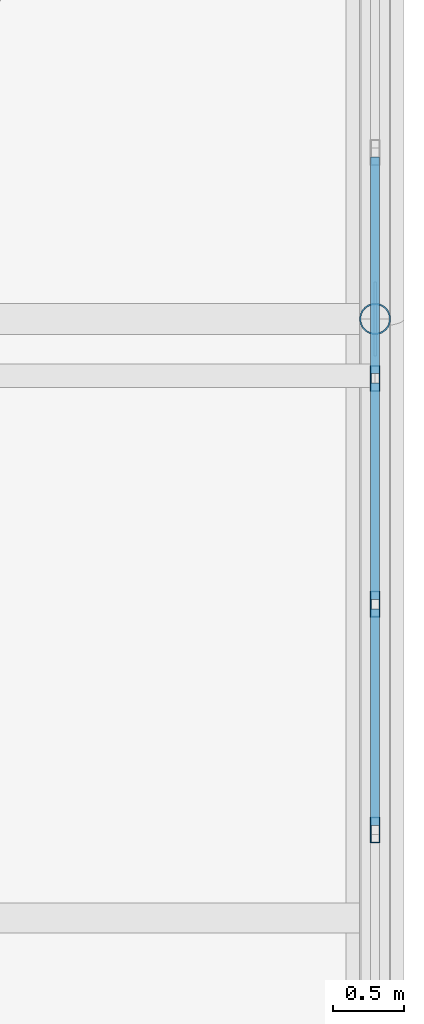
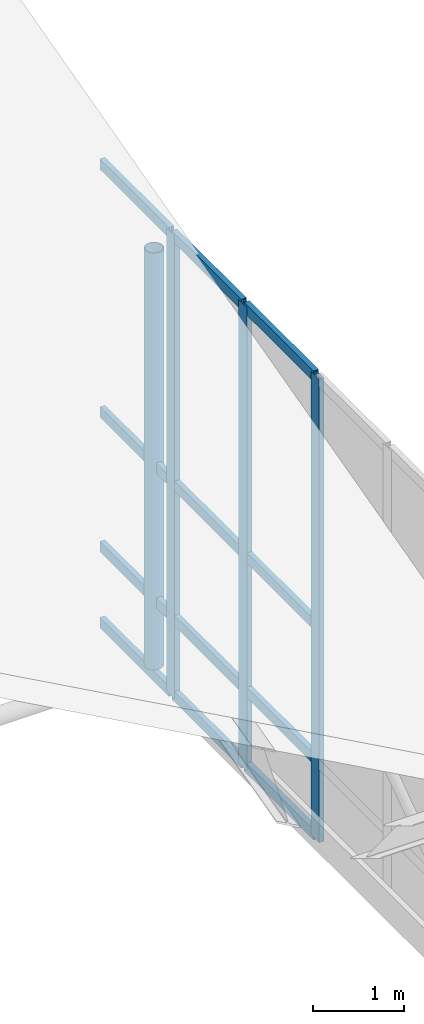
# One storey, part 28 of 43: 16 members, 1 element without a shape of its own.
"""IFC4 building model written with IfcOpenShell, lengths in metres."""

from ifc_helpers import new_model, si_unit, direction, frame, origin, origin_2d, place, context, subcontext, project, spatial, hollow_rectangle, hollow_circle, extrude, material, layer, layer_set, material_profile, profile_set, type_object, element, aggregate, save


model = new_model("IFC4")

# Units and contexts
model_context = context("Model", 3, precision=1e-05, world=origin(), true_north=direction((0.0, 1.0)))
body_context = subcontext(model_context, "Body", "Model", "MODEL_VIEW")
ifc_project = project(units=[si_unit("LENGTHUNIT", "METRE"), si_unit("AREAUNIT", "SQUARE_METRE"), si_unit("VOLUMEUNIT", "CUBIC_METRE"), si_unit("PLANEANGLEUNIT", "RADIAN"), si_unit("MASSUNIT", "GRAM", prefix="KILO")], contexts=[model_context])

# Site, building, storey
site_placement = place(None, origin())
site = spatial("IfcSite", under=ifc_project, at=site_placement, CompositionType="ELEMENT")
building_placement = place(site_placement, origin())
building = spatial("IfcBuilding", under=site, at=building_placement, Name="Selat Folded Stagehouse", CompositionType="ELEMENT")
storey_placement = place(building_placement, frame((0.0, 0.0, 32.39990234375)))
storey = spatial("IfcBuildingStorey", under=building, at=storey_placement, Name="RF", CompositionType="ELEMENT", Elevation=32.39990234375)

# Curtain wall, members
ifc_material_1 = material(Name="Aluminium 6063-T6", Category="aluminium")
ifc_layer = layer(ifc_material_1, 0.169921875)
ifc_layer_set = layer_set([ifc_layer], Name="Aluminium 6063-T6")
curtain_wall_type = type_object("IfcCurtainWallType", Name="CW-CRN-CLER", PredefinedType="NOTDEFINED", material=ifc_layer_set)
curtain_wall_placement = place(storey_placement, origin())
curtain_wall = element("IfcCurtainWall", 1, at=curtain_wall_placement, inside=storey, type_object=curtain_wall_type, Name="RF curtain wall CW-RF-E-02", PredefinedType="NOTDEFINED")
ifc_material_profile_1 = material_profile(ifc_material_1, hollow_rectangle(XDim=0.06494140625, YDim=0.179931640625, WallThickness=0.00390625, at=origin_2d()), Name="ALU 180x65x4.0")
ifc_profile_set_1 = profile_set([ifc_material_profile_1], Name="Aluminium 6063-T6")
member_type_1 = type_object("IfcMemberType", Name="CWM-MUL-180x65", PredefinedType="MULLION", material=ifc_profile_set_1)
member_1_placement = place(storey_placement, frame((67.199951171875, 38.583251953125, 0.0), z_axis=(0.0, 0.0, 1.0), x_axis=(1.0, 0.0, 0.0)))
member_1 = element("IfcMember", 2, at=member_1_placement, type_object=member_type_1, Name="CW-09 mullion 3", PredefinedType="MULLION", context=body_context, shape_type="SweptSolid", body=[
    extrude(hollow_rectangle(XDim=0.06494140625, YDim=0.179931640625, WallThickness=0.00390625, at=origin_2d()), origin(), (0.0, 0.0, 1.0), 6.2001953125),
])
member_2_placement = place(storey_placement, frame((67.199951171875, 37.0, 0.0), z_axis=(0.0, 0.0, 1.0), x_axis=(1.0, 0.0, 0.0)))
member_2 = element("IfcMember", 3, at=member_2_placement, type_object=member_type_1, Name="CW-09 mullion 4", PredefinedType="MULLION", context=body_context, shape_type="SweptSolid", body=[
    extrude(hollow_rectangle(XDim=0.06494140625, YDim=0.179931640625, WallThickness=0.00390625, at=origin_2d()), origin(), (0.0, 0.0, 1.0), 6.2001953125),
])
member_3_placement = place(storey_placement, frame((67.199951171875, 35.416748046875, 0.0), z_axis=(0.0, 0.0, 1.0), x_axis=(1.0, 0.0, 0.0)))
member_3 = element("IfcMember", 4, at=member_3_placement, type_object=member_type_1, Name="CW-09 mullion 5", PredefinedType="MULLION", context=body_context, shape_type="SweptSolid", body=[
    extrude(hollow_rectangle(XDim=0.06494140625, YDim=0.179931640625, WallThickness=0.00390625, at=origin_2d()), origin(), (0.0, 0.0, 1.0), 6.2001953125),
])
ifc_material_profile_2 = material_profile(ifc_material_1, hollow_rectangle(XDim=0.06494140625, YDim=0.139892578125, WallThickness=0.00390625, at=origin_2d()), Name="ALU 140x65x4.0")
ifc_profile_set_2 = profile_set([ifc_material_profile_2], Name="Aluminium 6063-T6")
member_type_2 = type_object("IfcMemberType", Name="CWM-TRN-140x65", PredefinedType="USERDEFINED", material=ifc_profile_set_2)
member_4_placement = place(storey_placement, frame((67.199951171875, 40.13427734375, 0.03271484375), z_axis=(0.0, -1.0, 0.0), x_axis=(1.0, 0.0, 0.0)))
member_4 = element("IfcMember", 5, at=member_4_placement, type_object=member_type_2, Name="CW-09 transom 2.1", ObjectType="TRANSOM", PredefinedType="USERDEFINED", context=body_context, shape_type="SweptSolid", body=[
    extrude(hollow_rectangle(XDim=0.06494140625, YDim=0.139892578125, WallThickness=0.00390625, at=origin_2d()), origin(), (0.0, 0.0, 1.0), 1.5185546875),
])
member_5_placement = place(storey_placement, frame((67.199951171875, 40.13427734375, 1.050048828125), z_axis=(0.0, -1.0, 0.0), x_axis=(1.0, 0.0, 0.0)))
member_5 = element("IfcMember", 6, at=member_5_placement, type_object=member_type_2, Name="CW-09 transom 2.2", ObjectType="TRANSOM", PredefinedType="USERDEFINED", context=body_context, shape_type="SweptSolid", body=[
    extrude(hollow_rectangle(XDim=0.06494140625, YDim=0.139892578125, WallThickness=0.00390625, at=origin_2d()), origin(), (0.0, 0.0, 1.0), 1.5185546875),
])
member_6_placement = place(storey_placement, frame((67.199951171875, 40.13427734375, 2.85009765625), z_axis=(0.0, -1.0, 0.0), x_axis=(1.0, 0.0, 0.0)))
member_6 = element("IfcMember", 7, at=member_6_placement, type_object=member_type_2, Name="CW-09 transom 2.3", ObjectType="TRANSOM", PredefinedType="USERDEFINED", context=body_context, shape_type="SweptSolid", body=[
    extrude(hollow_rectangle(XDim=0.06494140625, YDim=0.139892578125, WallThickness=0.00390625, at=origin_2d()), origin(), (0.0, 0.0, 1.0), 1.5185546875),
])
member_7_placement = place(storey_placement, frame((67.199951171875, 40.13427734375, 6.16748046875), z_axis=(0.0, -1.0, 0.0), x_axis=(1.0, 0.0, 0.0)))
member_7 = element("IfcMember", 8, at=member_7_placement, type_object=member_type_2, Name="CW-09 transom 2.4", ObjectType="TRANSOM", PredefinedType="USERDEFINED", context=body_context, shape_type="SweptSolid", body=[
    extrude(hollow_rectangle(XDim=0.06494140625, YDim=0.139892578125, WallThickness=0.00390625, at=origin_2d()), origin(), (0.0, 0.0, 1.0), 1.5185546875),
])
member_8_placement = place(storey_placement, frame((67.199951171875, 38.55078125, 0.03271484375), z_axis=(0.0, -1.0, 0.0), x_axis=(1.0, 0.0, 0.0)))
member_8 = element("IfcMember", 9, at=member_8_placement, type_object=member_type_2, Name="CW-09 transom 3.1", ObjectType="TRANSOM", PredefinedType="USERDEFINED", context=body_context, shape_type="SweptSolid", body=[
    extrude(hollow_rectangle(XDim=0.06494140625, YDim=0.139892578125, WallThickness=0.00390625, at=origin_2d()), origin(), (0.0, 0.0, 1.0), 1.518310546875),
])
member_9_placement = place(storey_placement, frame((67.199951171875, 38.55078125, 1.050048828125), z_axis=(0.0, -1.0, 0.0), x_axis=(1.0, 0.0, 0.0)))
member_9 = element("IfcMember", 10, at=member_9_placement, type_object=member_type_2, Name="CW-09 transom 3.2", ObjectType="TRANSOM", PredefinedType="USERDEFINED", context=body_context, shape_type="SweptSolid", body=[
    extrude(hollow_rectangle(XDim=0.06494140625, YDim=0.139892578125, WallThickness=0.00390625, at=origin_2d()), origin(), (0.0, 0.0, 1.0), 1.518310546875),
])
member_10_placement = place(storey_placement, frame((67.199951171875, 38.55078125, 2.85009765625), z_axis=(0.0, -1.0, 0.0), x_axis=(1.0, 0.0, 0.0)))
member_10 = element("IfcMember", 11, at=member_10_placement, type_object=member_type_2, Name="CW-09 transom 3.3", ObjectType="TRANSOM", PredefinedType="USERDEFINED", context=body_context, shape_type="SweptSolid", body=[
    extrude(hollow_rectangle(XDim=0.06494140625, YDim=0.139892578125, WallThickness=0.00390625, at=origin_2d()), origin(), (0.0, 0.0, 1.0), 1.518310546875),
])
member_11_placement = place(storey_placement, frame((67.199951171875, 38.55078125, 6.16748046875), z_axis=(0.0, -1.0, 0.0), x_axis=(1.0, 0.0, 0.0)))
member_11 = element("IfcMember", 12, at=member_11_placement, type_object=member_type_2, Name="CW-09 transom 3.4", ObjectType="TRANSOM", PredefinedType="USERDEFINED", context=body_context, shape_type="SweptSolid", body=[
    extrude(hollow_rectangle(XDim=0.06494140625, YDim=0.139892578125, WallThickness=0.00390625, at=origin_2d()), origin(), (0.0, 0.0, 1.0), 1.518310546875),
])
member_12_placement = place(storey_placement, frame((67.199951171875, 36.967529296875, 0.03271484375), z_axis=(0.0, -1.0, 0.0), x_axis=(1.0, 0.0, 0.0)))
member_12 = element("IfcMember", 13, at=member_12_placement, type_object=member_type_2, Name="CW-09 transom 4.1", ObjectType="TRANSOM", PredefinedType="USERDEFINED", context=body_context, shape_type="SweptSolid", body=[
    extrude(hollow_rectangle(XDim=0.06494140625, YDim=0.139892578125, WallThickness=0.00390625, at=origin_2d()), origin(), (0.0, 0.0, 1.0), 1.518310546875),
])
member_13_placement = place(storey_placement, frame((67.199951171875, 36.967529296875, 1.050048828125), z_axis=(0.0, -1.0, 0.0), x_axis=(1.0, 0.0, 0.0)))
member_13 = element("IfcMember", 14, at=member_13_placement, type_object=member_type_2, Name="CW-09 transom 4.2", ObjectType="TRANSOM", PredefinedType="USERDEFINED", context=body_context, shape_type="SweptSolid", body=[
    extrude(hollow_rectangle(XDim=0.06494140625, YDim=0.139892578125, WallThickness=0.00390625, at=origin_2d()), origin(), (0.0, 0.0, 1.0), 1.518310546875),
])
member_14_placement = place(storey_placement, frame((67.199951171875, 36.967529296875, 2.85009765625), z_axis=(0.0, -1.0, 0.0), x_axis=(1.0, 0.0, 0.0)))
member_14 = element("IfcMember", 15, at=member_14_placement, type_object=member_type_2, Name="CW-09 transom 4.3", ObjectType="TRANSOM", PredefinedType="USERDEFINED", context=body_context, shape_type="SweptSolid", body=[
    extrude(hollow_rectangle(XDim=0.06494140625, YDim=0.139892578125, WallThickness=0.00390625, at=origin_2d()), origin(), (0.0, 0.0, 1.0), 1.518310546875),
])
member_15_placement = place(storey_placement, frame((67.199951171875, 36.967529296875, 6.16748046875), z_axis=(0.0, -1.0, 0.0), x_axis=(1.0, 0.0, 0.0)))
member_15 = element("IfcMember", 16, at=member_15_placement, type_object=member_type_2, Name="CW-09 transom 4.4", ObjectType="TRANSOM", PredefinedType="USERDEFINED", context=body_context, shape_type="SweptSolid", body=[
    extrude(hollow_rectangle(XDim=0.06494140625, YDim=0.139892578125, WallThickness=0.00390625, at=origin_2d()), origin(), (0.0, 0.0, 1.0), 1.518310546875),
])
aggregate(curtain_wall, [member_1, member_2, member_3, member_4, member_5, member_6, member_7, member_8, member_9, member_10, member_11, member_12, member_13, member_14, member_15])

# Member
ifc_material_2 = material(Name="Steel S355", Category="steel")
ifc_material_profile_3 = material_profile(ifc_material_2, hollow_circle(Radius=0.109619140625, WallThickness=0.010009765625, at=origin_2d()), Name="CHS 219.1x10.0")
ifc_profile_set_3 = profile_set([ifc_material_profile_3], Name="Steel S355")
member_type_3 = type_object("IfcMemberType", Name="MEM-POST-CHS219", PredefinedType="POST", material=ifc_profile_set_3)
member_16_placement = place(storey_placement, frame((67.199951171875, 39.0, 0.150146484375), z_axis=(0.0, 0.0, 1.0), x_axis=(1.0, 0.0, 0.0)))
element("IfcMember", 17, at=member_16_placement, inside=storey, type_object=member_type_3, Name="Folded-plate truss post 8.2", PredefinedType="POST", context=body_context, shape_type="SweptSolid", body=[
    extrude(hollow_circle(Radius=0.109619140625, WallThickness=0.010009765625, at=origin_2d()), origin(), (0.0, 0.0, 1.0), 5.575927734375),
])

save(model, "model.ifc")
